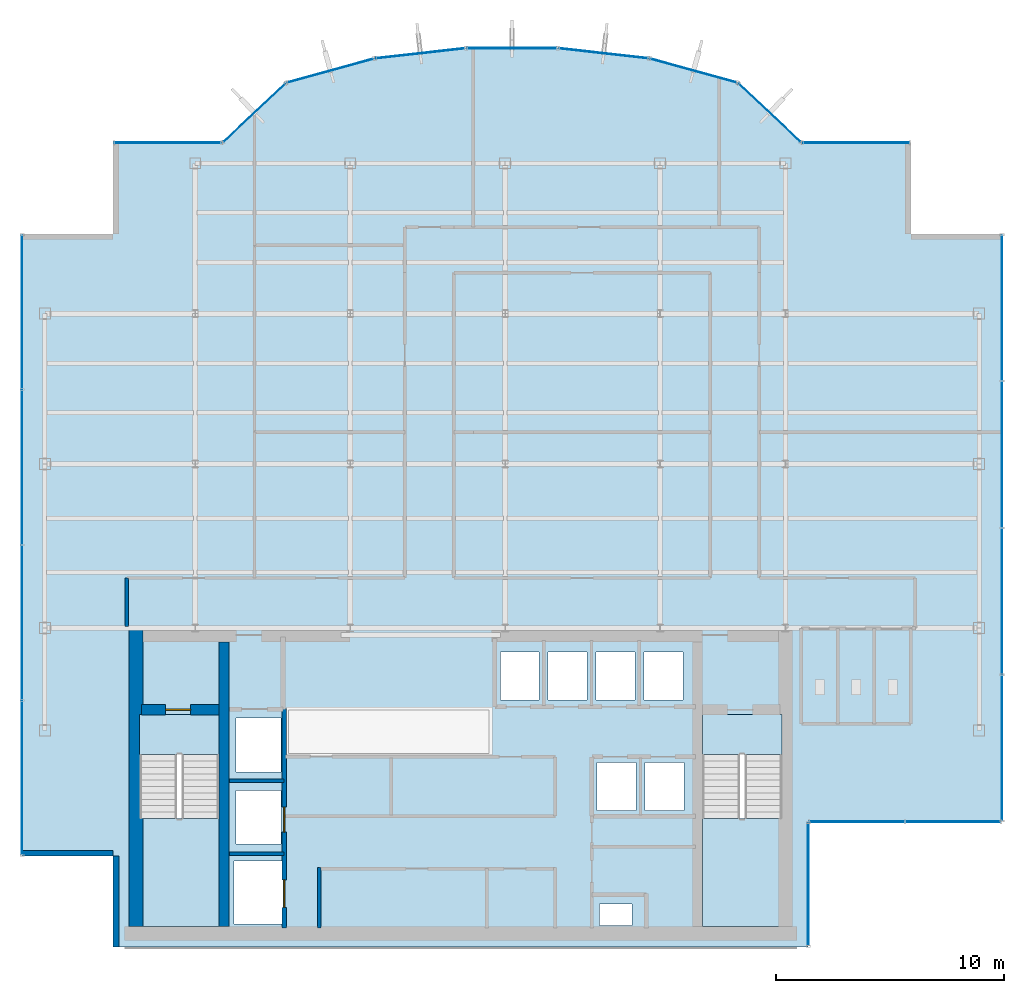
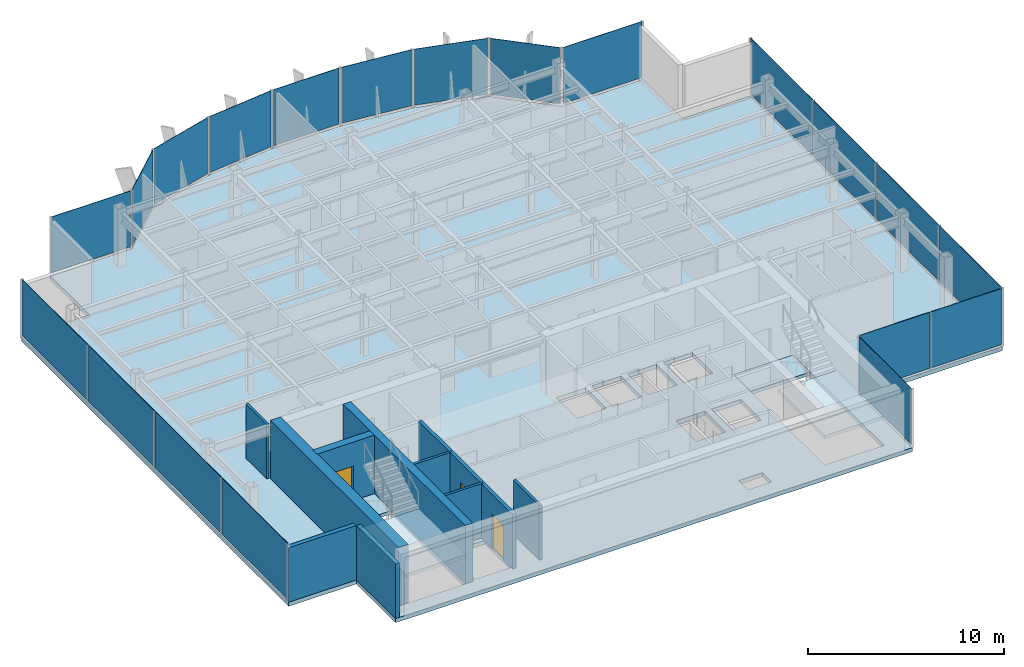
# One storey, part 16 of 22: 20 plates, 10 walls, 5 slabs, 3 doors, 3 openings, 15 elements without a shape of their own.
"""IFC4 building model written with IfcOpenShell, lengths in metres."""

import ifcopenshell
import ifcopenshell.guid

model = None  # the IFC model being written
_history = None  # IfcOwnerHistory: only IFC2X3 demands one
_inside = {}  # id of a spatial element -> (the spatial element, [elements in it])
_under = {}  # id of a project, library or spatial element -> (it, [spatial elements below it])
_declared = {}  # id of a project -> (the project, [libraries it declares])
_typed = {}  # id of a type object -> (the type object, [elements of that type])
_made_of = {}  # id of a material, layer set ... -> (it, [elements and type objects made of it])


def new_model(schema):
    """Start an empty IFC model of exactly this schema.

    Asked for "IFC4X3", IfcOpenShell would pick the latest addendum, in which some entities
    have other attributes; the version numbers below select the first issue.
    IFC2X3 requires an IfcOwnerHistory on every rooted entity: one is made here for all.
    """
    global model, _history
    if schema == "IFC4X3":
        model = ifcopenshell.file(schema_version=(4, 3, 0, 0))
    else:
        model = ifcopenshell.file(schema=schema)
    _inside.clear()
    _under.clear()
    _declared.clear()
    _typed.clear()
    _made_of.clear()
    _history = None
    if model.schema == "IFC2X3":
        org = make("IfcOrganization", Name="unknown")
        user = make(
            "IfcPersonAndOrganization",
            ThePerson=make("IfcPerson", FamilyName="unknown"),
            TheOrganization=org,
        )
        app = make(
            "IfcApplication",
            ApplicationDeveloper=org,
            Version="unknown",
            ApplicationFullName="unknown",
            ApplicationIdentifier="unknown",
        )
        _history = make(
            "IfcOwnerHistory",
            OwningUser=user,
            OwningApplication=app,
            ChangeAction="ADDED",
            CreationDate=0,
        )
    return model


def make(cls, **values):
    """One entity of the class cls with the attributes given. An attribute that is None is left unset."""
    return model.create_entity(
        cls, **{name: value for name, value in values.items() if value is not None}
    )


def rooted(cls, **values):
    """An entity with a GlobalId (a new one), such as an element, a storey or a relation."""
    return make(cls, GlobalId=ifcopenshell.guid.new(), OwnerHistory=_history, **values)


def si_unit(unit_type, name, prefix=None):
    """IfcSIUnit, for example si_unit("LENGTHUNIT", "METRE", prefix="MILLI")."""
    return make("IfcSIUnit", UnitType=unit_type, Prefix=prefix, Name=name)


def derived_unit(unit_type, elements):
    """IfcDerivedUnit: a product of units, each with its exponent."""
    return make(
        "IfcDerivedUnit",
        Elements=[
            make("IfcDerivedUnitElement", Unit=unit, Exponent=power)
            for unit, power in elements
        ],
        UnitType=unit_type,
    )


def assignment(units):
    """IfcUnitAssignment: the units of a project."""
    return None if units is None else make("IfcUnitAssignment", Units=units)


def point(xyz):
    """IfcCartesianPoint."""
    return None if xyz is None else make("IfcCartesianPoint", Coordinates=xyz)


def direction(xyz):
    """IfcDirection."""
    return None if xyz is None else make("IfcDirection", DirectionRatios=xyz)


def frame(location, z_axis=None, x_axis=None):
    """IfcAxis2Placement3D, a coordinate frame: its origin and axes. An axis left out is left unset."""
    return make(
        "IfcAxis2Placement3D",
        Location=point(location),
        Axis=direction(z_axis),
        RefDirection=direction(x_axis),
    )


def frame_2d(location, x_axis=None):
    """IfcAxis2Placement2D, a coordinate frame in the plane: its origin and x axis."""
    return make(
        "IfcAxis2Placement2D", Location=point(location), RefDirection=direction(x_axis)
    )


def origin():
    """The frame at (0, 0, 0) with its axes left unset."""
    return frame((0.0, 0.0, 0.0))


def origin_2d():
    """The frame at (0, 0) in the plane with its x axis left unset."""
    return frame_2d((0.0, 0.0))


def place(relative_to, where):
    """IfcLocalPlacement: puts the frame where relative to a parent placement (None: the world)."""
    return make(
        "IfcLocalPlacement", PlacementRelTo=relative_to, RelativePlacement=where
    )


def context(
    kind, dimensions, precision=None, world=None, true_north=None, identifier=None
):
    """IfcGeometricRepresentationContext, for example the 3D "Model" context."""
    return make(
        "IfcGeometricRepresentationContext",
        ContextIdentifier=identifier,
        ContextType=kind,
        CoordinateSpaceDimension=dimensions,
        Precision=precision,
        WorldCoordinateSystem=world,
        TrueNorth=true_north,
    )


def subcontext(parent, identifier, kind, view, scale=None):
    """IfcGeometricRepresentationSubContext, for example "Body" below "Model"."""
    return make(
        "IfcGeometricRepresentationSubContext",
        ContextIdentifier=identifier,
        ContextType=kind,
        ParentContext=parent,
        TargetScale=scale,
        TargetView=view,
    )


def project(units=None, contexts=None):
    """IfcProject with its units and contexts."""
    return rooted(
        "IfcProject",
        Name="project",
        RepresentationContexts=contexts,
        UnitsInContext=assignment(units),
    )


def spatial(cls, under=None, at=None, **own):
    """A site, building, storey or space (cls), placed at a placement, below another one or the project."""
    s = rooted(cls, ObjectPlacement=at, **own)
    if under is not None:
        _under.setdefault(under.id(), (under, []))[1].append(s)
    return s


def polyline(points):
    """IfcPolyline through the points."""
    return make("IfcPolyline", Points=[point(p) for p in points])


def profile(cls, at=None, kind="AREA", **sizes):
    """A parametric profile (cls). Its sizes go by their IFC names, for example OverallWidth=200.0."""
    return make(cls, ProfileType=kind, Position=at, **sizes)


def rectangle(**sizes):
    """IfcRectangleProfileDef."""
    return profile("IfcRectangleProfileDef", **sizes)


def outline(outer, holes=None, kind="AREA"):
    """IfcArbitraryClosedProfileDef: a profile drawn as a closed curve; with holes, ...WithVoids."""
    if holes is None:
        return make("IfcArbitraryClosedProfileDef", ProfileType=kind, OuterCurve=outer)
    return make(
        "IfcArbitraryProfileDefWithVoids",
        ProfileType=kind,
        OuterCurve=outer,
        InnerCurves=holes,
    )


def extrude(swept, where, along, depth):
    """IfcExtrudedAreaSolid: the profile swept, set in the frame where, extruded along a direction by depth."""
    return make(
        "IfcExtrudedAreaSolid",
        SweptArea=swept,
        Position=where,
        ExtrudedDirection=direction(along),
        Depth=depth,
    )


def shape(context_of_items, identifier, shape_type, items):
    """IfcShapeRepresentation: the items that make up one representation, for example the "Body"."""
    return make(
        "IfcShapeRepresentation",
        ContextOfItems=context_of_items,
        RepresentationIdentifier=identifier,
        RepresentationType=shape_type,
        Items=items,
    )


def source(mapping_origin, context_of_items, identifier, shape_type, items):
    """IfcRepresentationMap: a shape defined once, which mapped items show again and again."""
    return make(
        "IfcRepresentationMap",
        MappingOrigin=mapping_origin,
        MappedRepresentation=shape(context_of_items, identifier, shape_type, items),
    )


def transform(
    local_origin,
    x_axis=None,
    y_axis=None,
    z_axis=None,
    scale=None,
    scale2=None,
    scale3=None,
    uniform=True,
):
    """IfcCartesianTransformationOperator3D, or its non-uniform kind. x_axis, y_axis, z_axis: its Axis1, 2, 3."""
    if uniform:
        return make(
            "IfcCartesianTransformationOperator3D",
            Axis1=direction(x_axis),
            Axis2=direction(y_axis),
            LocalOrigin=point(local_origin),
            Scale=scale,
            Axis3=direction(z_axis),
        )
    return make(
        "IfcCartesianTransformationOperator3DnonUniform",
        Axis1=direction(x_axis),
        Axis2=direction(y_axis),
        LocalOrigin=point(local_origin),
        Scale=scale,
        Axis3=direction(z_axis),
        Scale2=scale2,
        Scale3=scale3,
    )


def mapped(mapping_source, mapping_target):
    """IfcMappedItem: shows the shape of a source again, moved by a transform."""
    return make(
        "IfcMappedItem", MappingSource=mapping_source, MappingTarget=mapping_target
    )


def material(Name=None, Category=None):
    """IfcMaterial."""
    return make("IfcMaterial", Name=Name, Category=Category)


def layer(
    of_material, thickness, ventilated=None, Name=None, Category=None, Priority=None
):
    """IfcMaterialLayer: one layer of a wall or slab, of a material (None: an air gap)."""
    return make(
        "IfcMaterialLayer",
        Material=of_material,
        LayerThickness=thickness,
        IsVentilated=ventilated,
        Name=Name,
        Category=Category,
        Priority=Priority,
    )


def layer_set(layers, Name=None):
    """IfcMaterialLayerSet."""
    return make("IfcMaterialLayerSet", MaterialLayers=layers, LayerSetName=Name)


def made_of(thing, what):
    """Note that an element or type object is made of a material, layer set ...; save() writes the relation."""
    if what is not None:
        _made_of.setdefault(what.id(), (what, []))[1].append(thing)
    return thing


def type_object(cls, material=None, **own):
    """A type object (cls), such as IfcWallType, which elements share."""
    return made_of(rooted(cls, **own), material)


def element(
    cls,
    number,
    at=None,
    inside=None,
    cuts=None,
    type_object=None,
    material=None,
    context=None,
    identifier="Body",
    shape_type=None,
    held_by="IfcProductDefinitionShape",
    body=None,
    shapes=None,
    **own,
):
    """One element of the class cls, such as IfcWall. Its Tag is "e" and its number.

    at: its placement. inside: the storey or other place that contains it. cuts: it is an
    opening in that element (IfcRelVoidsElement). A single representation is given by context,
    identifier, shape_type and body (its items); several are given by shapes. held_by: the class
    of the entity that holds the representations. save() writes the other relations.
    """
    e = rooted(cls, Tag="e%d" % number, ObjectPlacement=at, **own)
    if body is not None:
        shapes = [shape(context, identifier, shape_type, body)]
    if shapes is not None:
        e.Representation = make(held_by, Representations=shapes)
    if inside is not None:
        _inside.setdefault(inside.id(), (inside, []))[1].append(e)
    if cuts is not None:
        rooted(
            "IfcRelVoidsElement", RelatingBuildingElement=cuts, RelatedOpeningElement=e
        )
    if type_object is not None:
        _typed.setdefault(type_object.id(), (type_object, []))[1].append(e)
    return made_of(e, material)


def fill(opening, filler):
    """IfcRelFillsElement: the door or window that sits in an opening."""
    return rooted(
        "IfcRelFillsElement",
        RelatingOpeningElement=opening,
        RelatedBuildingElement=filler,
    )


def aggregate(whole, parts):
    """IfcRelAggregates: a whole, such as a stair, and the parts it consists of."""
    return rooted("IfcRelAggregates", RelatingObject=whole, RelatedObjects=parts)


def save(model, path):
    """Write the relations noted so far, then the file.

    IfcRelAggregates (storeys below a building ...), IfcRelContainedInSpatialStructure (elements
    in a storey), IfcRelDefinesByType, IfcRelAssociatesMaterial and IfcRelDeclares: one each for
    every whole, place, type object, material and project.
    """
    for whole, parts in _under.values():
        aggregate(whole, parts)
    for where, things in _inside.values():
        rooted(
            "IfcRelContainedInSpatialStructure",
            RelatedElements=things,
            RelatingStructure=where,
        )
    for kind, things in _typed.values():
        rooted("IfcRelDefinesByType", RelatedObjects=things, RelatingType=kind)
    for what, things in _made_of.values():
        rooted("IfcRelAssociatesMaterial", RelatedObjects=things, RelatingMaterial=what)
    for by, libraries in _declared.values():
        rooted("IfcRelDeclares", RelatingContext=by, RelatedDefinitions=libraries)
    model.write(path)


model = new_model("IFC4")

# Units and contexts
model_context = context("Model", 3, precision=1e-05, world=origin(), true_north=direction((0.0, 1.0)))
body_context = subcontext(model_context, "Body", "Model", "MODEL_VIEW")
ifc_project = project(units=[si_unit("LENGTHUNIT", "METRE"), si_unit("AREAUNIT", "SQUARE_METRE"), si_unit("VOLUMEUNIT", "CUBIC_METRE"), si_unit("PLANEANGLEUNIT", "RADIAN"), si_unit("MASSUNIT", "GRAM", prefix="KILO"), derived_unit("THERMALTRANSMITTANCEUNIT", [(si_unit("POWERUNIT", "WATT"), 1), (si_unit("LENGTHUNIT", "METRE"), -2), (si_unit("THERMODYNAMICTEMPERATUREUNIT", "KELVIN"), -1)])], contexts=[model_context])

# Site, building, storey
site_placement = place(None, origin())
site = spatial("IfcSite", under=ifc_project, at=site_placement, CompositionType="ELEMENT")
building_placement = place(site_placement, origin())
building = spatial("IfcBuilding", under=site, at=building_placement, Name="Skarnbrae Concourse Arena and Tower", CompositionType="ELEMENT")
storey_placement = place(building_placement, frame((0.0, 0.0, 247.85009765625)))
storey = spatial("IfcBuildingStorey", under=building, at=storey_placement, Name="L64", CompositionType="ELEMENT", Elevation=247.85009765625)

# Stair, slab
ifc_material_1 = material(Name="Concrete 40 MPa (C40/50)", Category="concrete")
stair_type = type_object("IfcStairType", Name="STAIR-DOGLEG-1650", PredefinedType="HALF_TURN_STAIR", material=ifc_material_1)
stair_1_placement = place(storey_placement, origin())
stair_1 = element("IfcStair", 1, at=stair_1_placement, inside=storey, type_object=stair_type, Name="L64 Protected Exit Stair ST-1", PredefinedType="HALF_TURN_STAIR")
ifc_layer_1 = layer(ifc_material_1, 0.199951171875)
ifc_layer_set_1 = layer_set([ifc_layer_1], Name="Concrete 40 MPa (C40/50)")
slab_type_1 = type_object("IfcSlabType", Name="SLAB-LANDING-200", PredefinedType="LANDING", material=ifc_layer_set_1)
slab_1_placement = place(storey_placement, frame((0.0, 0.0, 1.625)))
slab_1 = element("IfcSlab", 2, at=slab_1_placement, type_object=slab_type_1, Name="ST-1 landing 1", PredefinedType="LANDING", context=body_context, shape_type="SweptSolid", body=[
    extrude(outline(polyline([(5.14990234375, 5.64990234375), (5.14990234375, 0.89990234375), (8.64990234375, 0.89990234375), (8.64990234375, 5.64990234375), (5.14990234375, 5.64990234375)])), origin(), (0.0, 0.0, 1.0), 0.199951171875),
])
aggregate(stair_1, [slab_1])

stair_2_placement = place(storey_placement, origin())
stair_2 = element("IfcStair", 3, at=stair_2_placement, inside=storey, type_object=stair_type, Name="L64 Protected Exit Stair ST-2", PredefinedType="HALF_TURN_STAIR")
slab_2_placement = place(storey_placement, frame((0.0, 0.0, 1.625)))
slab_2 = element("IfcSlab", 4, at=slab_2_placement, type_object=slab_type_1, Name="ST-2 landing 1", PredefinedType="LANDING", context=body_context, shape_type="SweptSolid", body=[
    extrude(outline(polyline([(29.85009765625, 5.64990234375), (29.85009765625, 0.89990234375), (33.35009765625, 0.89990234375), (33.35009765625, 5.64990234375), (29.85009765625, 5.64990234375)])), origin(), (0.0, 0.0, 1.0), 0.199951171875),
])
aggregate(stair_2, [slab_2])

# Slabs
slab_3_placement = place(storey_placement, frame((0.0, 0.0, -0.2001953125)))
element("IfcSlab", 5, at=slab_3_placement, inside=storey, type_object=slab_type_1, Name="L64 Core stair ST1 floor landing", PredefinedType="LANDING", context=body_context, shape_type="SweptSolid", body=[
    extrude(outline(polyline([(5.14990234375, 10.199951171875), (5.14990234375, 8.449951171875), (8.64990234375, 8.449951171875), (8.64990234375, 10.199951171875), (5.14990234375, 10.199951171875)])), origin(), (0.0, 0.0, 1.0), 0.2001953125),
])
slab_4_placement = place(storey_placement, frame((0.0, 0.0, -0.2001953125)))
element("IfcSlab", 6, at=slab_4_placement, inside=storey, type_object=slab_type_1, Name="L64 Core stair ST2 floor landing", PredefinedType="LANDING", context=body_context, shape_type="SweptSolid", body=[
    extrude(outline(polyline([(29.85009765625, 10.199951171875), (29.85009765625, 8.449951171875), (33.35009765625, 8.449951171875), (33.35009765625, 10.199951171875), (29.85009765625, 10.199951171875)])), origin(), (0.0, 0.0, 1.0), 0.2001953125),
])
ifc_layer_2 = layer(ifc_material_1, 0.25)
ifc_layer_set_2 = layer_set([ifc_layer_2], Name="Concrete 40 MPa (C40/50)")
slab_type_2 = type_object("IfcSlabType", Name="SLAB-TOWER-250", PredefinedType="FLOOR", material=ifc_layer_set_2)
slab_5_placement = place(storey_placement, frame((0.0, 0.0, -0.25)))
element("IfcSlab", 7, at=slab_5_placement, inside=storey, type_object=slab_type_2, Name="L64 Structural floor slab", PredefinedType="FLOOR", context=body_context, shape_type="SweptSolid", body=[
    extrude(outline(polyline([(4.0, 0.0), (34.5, 0.0), (34.5, 5.5), (43.0, 5.5), (43.0, 31.300048828125), (39.0, 31.300048828125), (39.0, 35.300048828125), (34.199951171875, 35.300048828125), (31.40966796875, 37.9267578125), (27.52587890625, 38.9970703125), (23.51708984375, 39.44677734375), (19.48291015625, 39.44677734375), (15.47412109375, 38.9970703125), (11.59033203125, 37.9267578125), (8.800048828125, 35.300048828125), (4.0, 35.300048828125), (4.0, 31.300048828125), (0.0, 31.300048828125), (0.0, 4.0), (4.0, 4.0), (4.0, 0.0)]), holes=[polyline([(9.294921875, 1.02001953125), (9.294921875, 3.780029296875), (11.455078125, 3.780029296875), (11.455078125, 1.02001953125), (9.294921875, 1.02001953125)]), polyline([(8.64990234375, 10.199951171875), (8.64990234375, 0.89990234375), (5.14990234375, 0.89990234375), (5.14990234375, 10.199951171875), (8.64990234375, 10.199951171875)]), polyline([(9.39501953125, 6.8798828125), (11.35498046875, 6.8798828125), (11.35498046875, 4.52001953125), (9.39501953125, 4.52001953125), (9.39501953125, 6.8798828125)]), polyline([(9.39501953125, 7.695068359375), (9.39501953125, 10.054931640625), (11.35498046875, 10.054931640625), (11.35498046875, 7.695068359375), (9.39501953125, 7.695068359375)]), polyline([(20.985107421875, 12.955078125), (22.695068359375, 12.955078125), (22.695068359375, 10.844970703125), (20.985107421875, 10.844970703125), (20.985107421875, 12.955078125)]), polyline([(23.0849609375, 12.955078125), (24.794921875, 12.955078125), (24.794921875, 10.844970703125), (23.0849609375, 10.844970703125), (23.0849609375, 12.955078125)]), polyline([(25.35009765625, 0.949951171875), (25.35009765625, 1.889892578125), (26.760009765625, 1.889892578125), (26.760009765625, 0.949951171875), (25.35009765625, 0.949951171875)]), polyline([(33.35009765625, 10.199951171875), (33.35009765625, 0.89990234375), (29.85009765625, 0.89990234375), (29.85009765625, 10.199951171875), (33.35009765625, 10.199951171875)]), polyline([(25.235107421875, 8.10498046875), (26.945068359375, 8.10498046875), (26.945068359375, 5.9951171875), (25.235107421875, 5.9951171875), (25.235107421875, 8.10498046875)]), polyline([(27.3349609375, 5.9951171875), (27.3349609375, 8.10498046875), (29.044921875, 8.10498046875), (29.044921875, 5.9951171875), (27.3349609375, 5.9951171875)]), polyline([(25.18505859375, 12.955078125), (26.89501953125, 12.955078125), (26.89501953125, 10.844970703125), (25.18505859375, 10.844970703125), (25.18505859375, 12.955078125)]), polyline([(27.284912109375, 12.955078125), (28.9951171875, 12.955078125), (28.9951171875, 10.844970703125), (27.284912109375, 10.844970703125), (27.284912109375, 12.955078125)])]), origin(), (0.0, 0.0, 1.0), 0.25),
])

# Curtain wall, plate
ifc_material_2 = material(Name="Bronze anodised aluminium 6063-T6", Category="aluminium")
curtain_wall_type = type_object("IfcCurtainWallType", Name="CW-SYS-05-HIGHZONE", PredefinedType="USERDEFINED", material=ifc_material_2)
curtain_wall_1_placement = place(storey_placement, origin())
curtain_wall_1 = element("IfcCurtainWall", 8, at=curtain_wall_1_placement, inside=storey, type_object=curtain_wall_type, Name="L64 Unitised curtain wall CW-L64-E02", ObjectType="UNITISED CURTAIN WALL", PredefinedType="USERDEFINED")
ifc_material_3 = material(Name="Low-E triple insulating glass", Category="glass")
ifc_layer_3 = layer(ifc_material_3, 0.030029296875)
ifc_layer_set_3 = layer_set([ifc_layer_3], Name="Low-E triple insulating glass")
plate_type = type_object("IfcPlateType", Name="CWP-CW-05", PredefinedType="CURTAIN_PANEL", material=ifc_layer_set_3)
shared_shape_1 = source(origin(), body_context, "Body", "SweptSolid", [
    extrude(rectangle(XDim=5.35009765625, YDim=0.030029296875, at=origin_2d()), origin(), (0.0, 0.0, 1.0), 3.5),
])
plate_1_placement = place(storey_placement, frame((34.5, 2.75, 0.14990234375), z_axis=(0.0, 0.0, 1.0), x_axis=(0.0, 1.0, 0.0)))
plate_1 = element("IfcPlate", 9, at=plate_1_placement, type_object=plate_type, Name="CW-L64-E02 Low-E Glazing Panel 1", PredefinedType="CURTAIN_PANEL", context=body_context, shape_type="MappedRepresentation", body=[
    mapped(shared_shape_1, transform((0.0, 0.0, 0.0))),
])
aggregate(curtain_wall_1, [plate_1])

# Curtain wall, plates
curtain_wall_2_placement = place(storey_placement, origin())
curtain_wall_2 = element("IfcCurtainWall", 10, at=curtain_wall_2_placement, inside=storey, type_object=curtain_wall_type, Name="L64 Unitised curtain wall CW-L64-E03", ObjectType="UNITISED CURTAIN WALL", PredefinedType="USERDEFINED")
shared_shape_2 = source(origin(), body_context, "Body", "SweptSolid", [
    extrude(rectangle(XDim=4.137451171875, YDim=0.030029296875, at=origin_2d()), origin(), (0.0, 0.0, 1.0), 3.5),
])
plate_2_placement = place(storey_placement, frame((36.643798828125, 5.5, 0.14990234375), z_axis=(0.0, 0.0, 1.0), x_axis=(1.0, 0.0, 0.0)))
plate_2 = element("IfcPlate", 11, at=plate_2_placement, type_object=plate_type, Name="CW-L64-E03 Low-E Glazing Panel 1", PredefinedType="CURTAIN_PANEL", context=body_context, shape_type="MappedRepresentation", body=[
    mapped(shared_shape_2, transform((0.0, 0.0, 0.0))),
])
plate_3_placement = place(storey_placement, frame((40.856201171875, 5.5, 0.14990234375), z_axis=(0.0, 0.0, 1.0), x_axis=(1.0, 0.0, 0.0)))
plate_3 = element("IfcPlate", 12, at=plate_3_placement, type_object=plate_type, Name="CW-L64-E03 Low-E Glazing Panel 2", PredefinedType="CURTAIN_PANEL", context=body_context, shape_type="MappedRepresentation", body=[
    mapped(shared_shape_2, transform((0.0, 0.0, 0.0))),
])
aggregate(curtain_wall_2, [plate_2, plate_3])

# Curtain wall, plate
curtain_wall_3_placement = place(storey_placement, origin())
curtain_wall_3 = element("IfcCurtainWall", 13, at=curtain_wall_3_placement, inside=storey, type_object=curtain_wall_type, Name="L64 Unitised curtain wall CW-L64-E07", ObjectType="UNITISED CURTAIN WALL", PredefinedType="USERDEFINED")
shared_shape_3 = source(origin(), body_context, "Body", "SweptSolid", [
    extrude(rectangle(XDim=4.64990234375, YDim=0.030029296875, at=origin_2d()), origin(), (0.0, 0.0, 1.0), 3.5),
])
plate_4_placement = place(storey_placement, frame((36.60009765625, 35.300048828125, 0.14990234375), z_axis=(0.0, 0.0, 1.0), x_axis=(-1.0, 0.0, 0.0)))
plate_4 = element("IfcPlate", 14, at=plate_4_placement, type_object=plate_type, Name="CW-L64-E07 Low-E Glazing Panel 1", PredefinedType="CURTAIN_PANEL", context=body_context, shape_type="MappedRepresentation", body=[
    mapped(shared_shape_3, transform((0.0, 0.0, 0.0))),
])
aggregate(curtain_wall_3, [plate_4])

curtain_wall_4_placement = place(storey_placement, origin())
curtain_wall_4 = element("IfcCurtainWall", 15, at=curtain_wall_4_placement, inside=storey, type_object=curtain_wall_type, Name="L64 Unitised curtain wall CW-L64-E15", ObjectType="UNITISED CURTAIN WALL", PredefinedType="USERDEFINED")
plate_5_placement = place(storey_placement, frame((6.39990234375, 35.300048828125, 0.14990234375), z_axis=(0.0, 0.0, 1.0), x_axis=(-1.0, 0.0, 0.0)))
plate_5 = element("IfcPlate", 16, at=plate_5_placement, type_object=plate_type, Name="CW-L64-E15 Low-E Glazing Panel 1", PredefinedType="CURTAIN_PANEL", context=body_context, shape_type="MappedRepresentation", body=[
    mapped(shared_shape_3, transform((0.0, 0.0, 0.0))),
])
aggregate(curtain_wall_4, [plate_5])

curtain_wall_5_placement = place(storey_placement, origin())
curtain_wall_5 = element("IfcCurtainWall", 17, at=curtain_wall_5_placement, inside=storey, type_object=curtain_wall_type, Name="L64 Unitised curtain wall CW-L64-E08", ObjectType="UNITISED CURTAIN WALL", PredefinedType="USERDEFINED")
shared_shape_4 = source(origin(), body_context, "Body", "SweptSolid", [
    extrude(rectangle(XDim=3.68212890625, YDim=0.030029296875, at=origin_2d()), origin(), (0.0, 0.0, 1.0), 3.5),
])
plate_6_placement = place(storey_placement, frame((32.804931640625, 36.61328125, 0.14990234375), z_axis=(0.0, 0.0, 1.0), x_axis=(-0.728130555214, 0.685438468838, 0.0)))
plate_6 = element("IfcPlate", 18, at=plate_6_placement, type_object=plate_type, Name="CW-L64-E08 Low-E Glazing Panel 1", PredefinedType="CURTAIN_PANEL", context=body_context, shape_type="MappedRepresentation", body=[
    mapped(shared_shape_4, transform((0.0, 0.0, 0.0))),
])
aggregate(curtain_wall_5, [plate_6])

curtain_wall_6_placement = place(storey_placement, origin())
curtain_wall_6 = element("IfcCurtainWall", 19, at=curtain_wall_6_placement, inside=storey, type_object=curtain_wall_type, Name="L64 Unitised curtain wall CW-L64-E14", ObjectType="UNITISED CURTAIN WALL", PredefinedType="USERDEFINED")
plate_7_placement = place(storey_placement, frame((10.195068359375, 36.61328125, 0.14990234375), z_axis=(0.0, 0.0, 1.0), x_axis=(-0.728130555214, -0.685438468838, 0.0)))
plate_7 = element("IfcPlate", 20, at=plate_7_placement, type_object=plate_type, Name="CW-L64-E14 Low-E Glazing Panel 1", PredefinedType="CURTAIN_PANEL", context=body_context, shape_type="MappedRepresentation", body=[
    mapped(shared_shape_4, transform((0.0, 0.0, 0.0))),
])
aggregate(curtain_wall_6, [plate_7])

curtain_wall_7_placement = place(storey_placement, origin())
curtain_wall_7 = element("IfcCurtainWall", 21, at=curtain_wall_7_placement, inside=storey, type_object=curtain_wall_type, Name="L64 Unitised curtain wall CW-L64-E09", ObjectType="UNITISED CURTAIN WALL", PredefinedType="USERDEFINED")
shared_shape_5 = source(origin(), body_context, "Body", "SweptSolid", [
    extrude(rectangle(XDim=3.878662109375, YDim=0.030029296875, at=origin_2d()), origin(), (0.0, 0.0, 1.0), 3.5),
])
plate_8_placement = place(storey_placement, frame((29.4677734375, 38.4619140625, 0.14990234375), z_axis=(0.0, 0.0, 1.0), x_axis=(-0.964057388766, 0.265694093207, 0.0)))
plate_8 = element("IfcPlate", 22, at=plate_8_placement, type_object=plate_type, Name="CW-L64-E09 Low-E Glazing Panel 1", PredefinedType="CURTAIN_PANEL", context=body_context, shape_type="MappedRepresentation", body=[
    mapped(shared_shape_5, transform((0.0, 0.0, 0.0))),
])
aggregate(curtain_wall_7, [plate_8])

curtain_wall_8_placement = place(storey_placement, origin())
curtain_wall_8 = element("IfcCurtainWall", 23, at=curtain_wall_8_placement, inside=storey, type_object=curtain_wall_type, Name="L64 Unitised curtain wall CW-L64-E13", ObjectType="UNITISED CURTAIN WALL", PredefinedType="USERDEFINED")
plate_9_placement = place(storey_placement, frame((13.5322265625, 38.4619140625, 0.14990234375), z_axis=(0.0, 0.0, 1.0), x_axis=(-0.964057388766, -0.265694093207, 0.0)))
plate_9 = element("IfcPlate", 24, at=plate_9_placement, type_object=plate_type, Name="CW-L64-E13 Low-E Glazing Panel 1", PredefinedType="CURTAIN_PANEL", context=body_context, shape_type="MappedRepresentation", body=[
    mapped(shared_shape_5, transform((0.0, 0.0, 0.0))),
])
aggregate(curtain_wall_8, [plate_9])

curtain_wall_9_placement = place(storey_placement, origin())
curtain_wall_9 = element("IfcCurtainWall", 25, at=curtain_wall_9_placement, inside=storey, type_object=curtain_wall_type, Name="L64 Unitised curtain wall CW-L64-E10", ObjectType="UNITISED CURTAIN WALL", PredefinedType="USERDEFINED")
shared_shape_6 = source(origin(), body_context, "Body", "SweptSolid", [
    extrude(rectangle(XDim=3.8837890625, YDim=0.030029296875, at=origin_2d()), origin(), (0.0, 0.0, 1.0), 3.5),
])
plate_10_placement = place(storey_placement, frame((25.521484375, 39.221923828125, 0.14990234375), z_axis=(0.0, 0.0, 1.0), x_axis=(-0.993768891873, 0.111460259941, 0.0)))
plate_10 = element("IfcPlate", 26, at=plate_10_placement, type_object=plate_type, Name="CW-L64-E10 Low-E Glazing Panel 1", PredefinedType="CURTAIN_PANEL", context=body_context, shape_type="MappedRepresentation", body=[
    mapped(shared_shape_6, transform((0.0, 0.0, 0.0))),
])
aggregate(curtain_wall_9, [plate_10])

curtain_wall_10_placement = place(storey_placement, origin())
curtain_wall_10 = element("IfcCurtainWall", 27, at=curtain_wall_10_placement, inside=storey, type_object=curtain_wall_type, Name="L64 Unitised curtain wall CW-L64-E12", ObjectType="UNITISED CURTAIN WALL", PredefinedType="USERDEFINED")
plate_11_placement = place(storey_placement, frame((17.478515625, 39.221923828125, 0.14990234375), z_axis=(0.0, 0.0, 1.0), x_axis=(-0.993768891873, -0.111460259941, 0.0)))
plate_11 = element("IfcPlate", 28, at=plate_11_placement, type_object=plate_type, Name="CW-L64-E12 Low-E Glazing Panel 1", PredefinedType="CURTAIN_PANEL", context=body_context, shape_type="MappedRepresentation", body=[
    mapped(shared_shape_6, transform((0.0, 0.0, 0.0))),
])
aggregate(curtain_wall_10, [plate_11])

curtain_wall_11_placement = place(storey_placement, origin())
curtain_wall_11 = element("IfcCurtainWall", 29, at=curtain_wall_11_placement, inside=storey, type_object=curtain_wall_type, Name="L64 Unitised curtain wall CW-L64-E11", ObjectType="UNITISED CURTAIN WALL", PredefinedType="USERDEFINED")
shared_shape_7 = source(origin(), body_context, "Body", "SweptSolid", [
    extrude(rectangle(XDim=3.884521484375, YDim=0.030029296875, at=origin_2d()), origin(), (0.0, 0.0, 1.0), 3.5),
])
plate_12_placement = place(storey_placement, frame((21.5, 39.44677734375, 0.14990234375), z_axis=(0.0, 0.0, 1.0), x_axis=(-1.0, 0.0, 0.0)))
plate_12 = element("IfcPlate", 30, at=plate_12_placement, type_object=plate_type, Name="CW-L64-E11 Low-E Glazing Panel 1", PredefinedType="CURTAIN_PANEL", context=body_context, shape_type="MappedRepresentation", body=[
    mapped(shared_shape_7, transform((0.0, 0.0, 0.0))),
])
aggregate(curtain_wall_11, [plate_12])

# Curtain wall, plates
curtain_wall_12_placement = place(storey_placement, origin())
curtain_wall_12 = element("IfcCurtainWall", 31, at=curtain_wall_12_placement, inside=storey, type_object=curtain_wall_type, Name="L64 Unitised curtain wall CW-L64-E18", ObjectType="UNITISED CURTAIN WALL", PredefinedType="USERDEFINED")
shared_shape_8 = source(origin(), body_context, "Body", "SweptSolid", [
    extrude(rectangle(XDim=6.71240234375, YDim=0.030029296875, at=origin_2d()), origin(), (0.0, 0.0, 1.0), 3.5),
])
plate_13_placement = place(storey_placement, frame((0.0, 27.86865234375, 0.14990234375), z_axis=(0.0, 0.0, 1.0), x_axis=(0.0, -1.0, 0.0)))
plate_13 = element("IfcPlate", 32, at=plate_13_placement, type_object=plate_type, Name="CW-L64-E18 Low-E Glazing Panel 1", PredefinedType="CURTAIN_PANEL", context=body_context, shape_type="MappedRepresentation", body=[
    mapped(shared_shape_8, transform((0.0, 0.0, 0.0))),
])
plate_14_placement = place(storey_placement, frame((0.0, 7.431396484375, 0.14990234375), z_axis=(0.0, 0.0, 1.0), x_axis=(0.0, -1.0, 0.0)))
plate_14 = element("IfcPlate", 33, at=plate_14_placement, type_object=plate_type, Name="CW-L64-E18 Low-E Glazing Panel 4", PredefinedType="CURTAIN_PANEL", context=body_context, shape_type="MappedRepresentation", body=[
    mapped(shared_shape_8, transform((0.0, 0.0, 0.0))),
])
shared_shape_9 = source(origin(), body_context, "Body", "SweptSolid", [
    extrude(rectangle(XDim=6.75, YDim=0.030029296875, at=origin_2d()), origin(), (0.0, 0.0, 1.0), 3.5),
])
plate_15_placement = place(storey_placement, frame((0.0, 21.0625, 0.14990234375), z_axis=(0.0, 0.0, 1.0), x_axis=(0.0, -1.0, 0.0)))
plate_15 = element("IfcPlate", 34, at=plate_15_placement, type_object=plate_type, Name="CW-L64-E18 Low-E Glazing Panel 2", PredefinedType="CURTAIN_PANEL", context=body_context, shape_type="MappedRepresentation", body=[
    mapped(shared_shape_9, transform((0.0, 0.0, 0.0))),
])
plate_16_placement = place(storey_placement, frame((0.0, 14.237548828125, 0.14990234375), z_axis=(0.0, 0.0, 1.0), x_axis=(0.0, -1.0, 0.0)))
plate_16 = element("IfcPlate", 35, at=plate_16_placement, type_object=plate_type, Name="CW-L64-E18 Low-E Glazing Panel 3", PredefinedType="CURTAIN_PANEL", context=body_context, shape_type="MappedRepresentation", body=[
    mapped(shared_shape_9, transform((0.0, 0.0, 0.0))),
])
aggregate(curtain_wall_12, [plate_13, plate_15, plate_16, plate_14])

curtain_wall_13_placement = place(storey_placement, origin())
curtain_wall_13 = element("IfcCurtainWall", 36, at=curtain_wall_13_placement, inside=storey, type_object=curtain_wall_type, Name="L64 Unitised curtain wall CW-L64-E04", ObjectType="UNITISED CURTAIN WALL", PredefinedType="USERDEFINED")
shared_shape_10 = source(origin(), body_context, "Body", "SweptSolid", [
    extrude(rectangle(XDim=6.33740234375, YDim=0.030029296875, at=origin_2d()), origin(), (0.0, 0.0, 1.0), 3.5),
])
plate_17_placement = place(storey_placement, frame((43.0, 8.743896484375, 0.14990234375), z_axis=(0.0, 0.0, 1.0), x_axis=(0.0, 1.0, 0.0)))
plate_17 = element("IfcPlate", 37, at=plate_17_placement, type_object=plate_type, Name="CW-L64-E04 Low-E Glazing Panel 1", PredefinedType="CURTAIN_PANEL", context=body_context, shape_type="MappedRepresentation", body=[
    mapped(shared_shape_10, transform((0.0, 0.0, 0.0))),
])
plate_18_placement = place(storey_placement, frame((43.0, 28.05615234375, 0.14990234375), z_axis=(0.0, 0.0, 1.0), x_axis=(0.0, 1.0, 0.0)))
plate_18 = element("IfcPlate", 38, at=plate_18_placement, type_object=plate_type, Name="CW-L64-E04 Low-E Glazing Panel 4", PredefinedType="CURTAIN_PANEL", context=body_context, shape_type="MappedRepresentation", body=[
    mapped(shared_shape_10, transform((0.0, 0.0, 0.0))),
])
shared_shape_11 = source(origin(), body_context, "Body", "SweptSolid", [
    extrude(rectangle(XDim=6.375, YDim=0.030029296875, at=origin_2d()), origin(), (0.0, 0.0, 1.0), 3.5),
])
plate_19_placement = place(storey_placement, frame((43.0, 15.175048828125, 0.14990234375), z_axis=(0.0, 0.0, 1.0), x_axis=(0.0, 1.0, 0.0)))
plate_19 = element("IfcPlate", 39, at=plate_19_placement, type_object=plate_type, Name="CW-L64-E04 Low-E Glazing Panel 2", PredefinedType="CURTAIN_PANEL", context=body_context, shape_type="MappedRepresentation", body=[
    mapped(shared_shape_11, transform((0.0, 0.0, 0.0))),
])
plate_20_placement = place(storey_placement, frame((43.0, 21.625, 0.14990234375), z_axis=(0.0, 0.0, 1.0), x_axis=(0.0, 1.0, 0.0)))
plate_20 = element("IfcPlate", 40, at=plate_20_placement, type_object=plate_type, Name="CW-L64-E04 Low-E Glazing Panel 3", PredefinedType="CURTAIN_PANEL", context=body_context, shape_type="MappedRepresentation", body=[
    mapped(shared_shape_11, transform((0.0, 0.0, 0.0))),
])
aggregate(curtain_wall_13, [plate_17, plate_19, plate_20, plate_18])

# Wall, opening, door
ifc_material_4 = material(Name="Concrete 50 MPa (C50/60)", Category="concrete")
ifc_layer_4 = layer(ifc_material_4, 0.449951171875)
ifc_layer_set_4 = layer_set([ifc_layer_4], Name="Concrete 50 MPa (C50/60)")
wall_type_1 = type_object("IfcWallType", Name="WALL-CORE-450-C50", PredefinedType="SHEAR", material=ifc_layer_set_4)
shared_shape_12 = source(origin(), body_context, "Body", "SweptSolid", [
    extrude(rectangle(XDim=3.389892578125, YDim=0.449951171875, at=frame_2d((1.69482421875, 0.0))), origin(), (0.0, 0.0, 1.0), 3.64990234375),
])
wall_1_placement = place(storey_placement, frame((5.25, 10.419921875, 0.0), z_axis=(0.0, 0.0, 1.0), x_axis=(1.0, 0.0, 0.0)))
wall_1 = element("IfcWall", 41, at=wall_1_placement, inside=storey, type_object=wall_type_1, Name="L64 Rear core shear wall CW-ST1-N", PredefinedType="SHEAR", context=body_context, shape_type="MappedRepresentation", body=[
    mapped(shared_shape_12, transform((0.0, 0.0, 0.0))),
])
opening_1_placement = place(wall_1_placement, frame((1.050048828125, 0.0, 0.0)))
opening_1 = element("IfcOpeningElement", 42, at=opening_1_placement, cuts=wall_1, Name="Opening DT-03", PredefinedType="OPENING", context=body_context, shape_type="SweptSolid", body=[
    extrude(rectangle(XDim=1.10009765625, YDim=2.14990234375, at=frame_2d((0.550048828125, 1.074951171875))), frame((0.0, 0.23486328125, 0.0), z_axis=(0.0, -1.0, 0.0), x_axis=(1.0, 0.0, 0.0)), (0.0, 0.0, 1.0), 0.469970703125),
])
ifc_material_5 = material(Name="Steel CSA G40.21 350W", Category="steel")
door_type_1 = type_object("IfcDoorType", Name="DOOR-FIRE-1100-90M", OperationType="NOTDEFINED", PredefinedType="DOOR", material=ifc_material_5)
shared_shape_13 = source(origin(), body_context, "Body", "SweptSolid", [
    extrude(rectangle(XDim=1.10009765625, YDim=2.14990234375, at=frame_2d((0.550048828125, 1.074951171875))), frame((0.0, 0.02490234375, 0.0), z_axis=(0.0, -1.0, 0.0), x_axis=(1.0, 0.0, 0.0)), (0.0, 0.0, 1.0), 0.050048828125),
])
door_1_placement = place(opening_1_placement, frame((1.10009765625, 0.0, 0.0), z_axis=(0.0, 0.0, 1.0), x_axis=(-1.0, 0.0, 0.0)))
door_1 = element("IfcDoor", 43, at=door_1_placement, inside=storey, type_object=door_type_1, Name="D-1922 Stair ST-1 Door", OperationType="SINGLE_SWING_LEFT", OverallHeight=2.14990234375, OverallWidth=1.10009765625, PredefinedType="DOOR", context=body_context, shape_type="MappedRepresentation", body=[
    mapped(shared_shape_13, transform((0.0, 0.0, 0.0))),
])
fill(opening_1, door_1)

# Walls
ifc_layer_5 = layer(ifc_material_4, 0.60009765625)
ifc_layer_set_5 = layer_set([ifc_layer_5], Name="Concrete 50 MPa (C50/60)")
wall_type_2 = type_object("IfcWallType", Name="WALL-CORE-600-C50", PredefinedType="SHEAR", material=ifc_layer_set_5)
shared_shape_14 = source(origin(), body_context, "Body", "SweptSolid", [
    extrude(rectangle(XDim=13.10009765625, YDim=0.60009765625, at=frame_2d((6.550048828125, 0.0))), origin(), (0.0, 0.0, 1.0), 3.64990234375),
])
wall_2_placement = place(storey_placement, frame((5.0, 0.89990234375, 0.0), z_axis=(0.0, 0.0, 1.0), x_axis=(0.0, 1.0, 0.0)))
element("IfcWall", 44, at=wall_2_placement, inside=storey, type_object=wall_type_2, Name="L64 Rear core shear wall CW-W", PredefinedType="SHEAR", context=body_context, shape_type="MappedRepresentation", body=[
    mapped(shared_shape_14, transform((0.0, 0.0, 0.0))),
])
shared_shape_15 = source(origin(), body_context, "Body", "SweptSolid", [
    extrude(rectangle(XDim=12.5, YDim=0.449951171875, at=frame_2d((6.25, 0.0))), origin(), (0.0, 0.0, 1.0), 3.64990234375),
])
wall_3_placement = place(storey_placement, frame((8.864990234375, 0.89990234375, 0.0), z_axis=(0.0, 0.0, 1.0), x_axis=(0.0, 1.0, 0.0)))
element("IfcWall", 45, at=wall_3_placement, inside=storey, type_object=wall_type_1, Name="L64 Rear core shear wall CW-WEB-W", PredefinedType="SHEAR", context=body_context, shape_type="MappedRepresentation", body=[
    mapped(shared_shape_15, transform((0.0, 0.0, 0.0))),
])
ifc_material_6 = material(Name="Precast concrete 40 MPa (C40/50)", Category="concrete")
ifc_layer_6 = layer(ifc_material_6, 0.25)
ifc_layer_set_6 = layer_set([ifc_layer_6], Name="Precast concrete 40 MPa (C40/50)")
wall_type_3 = type_object("IfcWallType", Name="WALL-EXT-SPANDREL-250", PredefinedType="STANDARD", material=ifc_layer_set_6)
shared_shape_16 = source(origin(), body_context, "Body", "SweptSolid", [
    extrude(rectangle(XDim=4.0, YDim=0.25, at=frame_2d((2.0, 0.0))), origin(), (0.0, 0.0, 1.0), 3.39990234375),
])
for number, where, z_axis, x_axis, name in (
    (46, (0.0, 4.125, 0.0), (0.0, 0.0, 1.0), (1.0, 0.0, 0.0), "L64 Notched corner insulated return wall 19"),
    (47, (4.125, 4.0, 0.0), (0.0, 0.0, 1.0), (0.0, -1.0, 0.0), "L64 Notched corner insulated return wall 20"),
):
    element("IfcWall", number, at=place(storey_placement, frame(where, z_axis=z_axis, x_axis=x_axis)), inside=storey, type_object=wall_type_3, Name=name, PredefinedType="STANDARD", context=body_context, shape_type="MappedRepresentation", body=[
        mapped(shared_shape_16, transform((0.0, 0.0, 0.0))),
    ])

# Wall, openings, doors
ifc_material_7 = material(Name="Gypsum board on cold-formed steel studs", Category="steel")
ifc_layer_7 = layer(ifc_material_7, 0.199951171875)
ifc_layer_set_7 = layer_set([ifc_layer_7], Name="Gypsum board on cold-formed steel studs")
wall_type_4 = type_object("IfcWallType", Name="WALL-PART-200-2HR", PredefinedType="PARTITIONING", material=ifc_layer_set_7)
shared_shape_17 = source(origin(), body_context, "Body", "SweptSolid", [
    extrude(rectangle(XDim=9.599853515625, YDim=0.199951171875, at=frame_2d((4.7998046875, 0.0))), origin(), (0.0, 0.0, 1.0), 3.39990234375),
])
wall_4_placement = place(storey_placement, frame((11.5, 0.85009765625, 0.0), z_axis=(0.0, 0.0, 1.0), x_axis=(0.0, 1.0, 0.0)))
wall_4 = element("IfcWall", 48, at=wall_4_placement, inside=storey, type_object=wall_type_4, Name="L64 Interior partition wall W-L64-FL-E", PredefinedType="PARTITIONING", context=body_context, shape_type="MappedRepresentation", body=[
    mapped(shared_shape_17, transform((0.0, 0.0, 0.0))),
])
opening_2_placement = place(wall_4_placement, frame((4.199951171875, 0.0, 0.0)))
opening_2 = element("IfcOpeningElement", 49, at=opening_2_placement, cuts=wall_4, Name="Opening LD-01", PredefinedType="OPENING", context=body_context, shape_type="SweptSolid", body=[
    extrude(rectangle(XDim=1.10009765625, YDim=2.14990234375, at=frame_2d((0.550048828125, 1.074951171875))), frame((0.0, 0.10986328125, 0.0), z_axis=(0.0, -1.0, 0.0), x_axis=(1.0, 0.0, 0.0)), (0.0, 0.0, 1.0), 0.219970703125),
])
opening_3_placement = place(wall_4_placement, frame((0.89990234375, 0.0, 0.0)))
opening_3 = element("IfcOpeningElement", 50, at=opening_3_placement, cuts=wall_4, Name="Opening LD-02", PredefinedType="OPENING", context=body_context, shape_type="SweptSolid", body=[
    extrude(rectangle(XDim=1.199951171875, YDim=2.14990234375, at=frame_2d((0.60009765625, 1.074951171875))), frame((0.0, 0.10986328125, 0.0), z_axis=(0.0, -1.0, 0.0), x_axis=(1.0, 0.0, 0.0)), (0.0, 0.0, 1.0), 0.219970703125),
])
door_type_2 = type_object("IfcDoorType", Name="DOOR-LIFT-SLIDE-1100", OperationType="SLIDING_TO_LEFT", PredefinedType="DOOR", material=ifc_material_5)
door_2_placement = place(opening_2_placement, frame((1.10009765625, 0.0, 0.0), z_axis=(0.0, 0.0, 1.0), x_axis=(-1.0, 0.0, 0.0)))
door_2 = element("IfcDoor", 51, at=door_2_placement, inside=storey, type_object=door_type_2, Name="D-1927 Firefighting Lift Landing Door FL-02", OperationType="SLIDING_TO_LEFT", OverallHeight=2.14990234375, OverallWidth=1.10009765625, PredefinedType="DOOR", context=body_context, shape_type="MappedRepresentation", body=[
    mapped(shared_shape_13, transform((0.0, 0.0, 0.0))),
])
fill(opening_2, door_2)
door_type_3 = type_object("IfcDoorType", Name="DOOR-LIFT-SLIDE-1200", OperationType="SLIDING_TO_LEFT", PredefinedType="DOOR", material=ifc_material_5)
shared_shape_18 = source(origin(), body_context, "Body", "SweptSolid", [
    extrude(rectangle(XDim=1.199951171875, YDim=2.14990234375, at=frame_2d((0.60009765625, 1.074951171875))), frame((0.0, 0.02490234375, 0.0), z_axis=(0.0, -1.0, 0.0), x_axis=(1.0, 0.0, 0.0)), (0.0, 0.0, 1.0), 0.050048828125),
])
door_3_placement = place(opening_3_placement, frame((1.199951171875, 0.0, 0.0), z_axis=(0.0, 0.0, 1.0), x_axis=(-1.0, 0.0, 0.0)))
door_3 = element("IfcDoor", 52, at=door_3_placement, inside=storey, type_object=door_type_3, Name="D-1928 Service Lift Landing Door SV-01", OperationType="SLIDING_TO_LEFT", OverallHeight=2.14990234375, OverallWidth=1.199951171875, PredefinedType="DOOR", context=body_context, shape_type="MappedRepresentation", body=[
    mapped(shared_shape_18, transform((0.0, 0.0, 0.0))),
])
fill(opening_3, door_3)

# Walls
ifc_layer_8 = layer(ifc_material_7, 0.14990234375)
ifc_layer_set_8 = layer_set([ifc_layer_8], Name="Gypsum board on cold-formed steel studs")
wall_type_5 = type_object("IfcWallType", Name="WALL-PART-150", PredefinedType="PARTITIONING", material=ifc_layer_set_8)
shared_shape_19 = source(origin(), body_context, "Body", "SweptSolid", [
    extrude(rectangle(XDim=2.39990234375, YDim=0.14990234375, at=frame_2d((1.199951171875, 0.0))), origin(), (0.0, 0.0, 1.0), 3.39990234375),
])
for number, where, z_axis, x_axis, name in (
    (53, (9.10009765625, 4.10009765625, 0.0), (0.0, 0.0, 1.0), (1.0, 0.0, 0.0), "L64 Interior partition wall W-L64-FL-D1"),
    (54, (9.10009765625, 7.300048828125, 0.0), (0.0, 0.0, 1.0), (1.0, 0.0, 0.0), "L64 Interior partition wall W-L64-FL-D2"),
):
    element("IfcWall", number, at=place(storey_placement, frame(where, z_axis=z_axis, x_axis=x_axis)), inside=storey, type_object=wall_type_5, Name=name, PredefinedType="PARTITIONING", context=body_context, shape_type="MappedRepresentation", body=[
        mapped(shared_shape_19, transform((0.0, 0.0, 0.0))),
    ])
ifc_layer_9 = layer(ifc_material_7, 0.14990234375)
ifc_layer_set_9 = layer_set([ifc_layer_9], Name="Gypsum board on cold-formed steel studs")
wall_type_6 = type_object("IfcWallType", Name="WALL-PART-150-1HR", PredefinedType="PARTITIONING", material=ifc_layer_set_9)
shared_shape_20 = source(origin(), body_context, "Body", "SweptSolid", [
    extrude(rectangle(XDim=2.64990234375, YDim=0.14990234375, at=frame_2d((1.324951171875, 0.0))), origin(), (0.0, 0.0, 1.0), 3.39990234375),
])
wall_5_placement = place(storey_placement, frame((13.050048828125, 0.85009765625, 0.0), z_axis=(0.0, 0.0, 1.0), x_axis=(0.0, 1.0, 0.0)))
element("IfcWall", 55, at=wall_5_placement, inside=storey, type_object=wall_type_6, Name="L64 Interior partition wall W-L64-B1M-W", PredefinedType="PARTITIONING", context=body_context, shape_type="MappedRepresentation", body=[
    mapped(shared_shape_20, transform((0.0, 0.0, 0.0))),
])
shared_shape_21 = source(origin(), body_context, "Body", "SweptSolid", [
    extrude(rectangle(XDim=2.119873046875, YDim=0.14990234375, at=frame_2d((1.06005859375, 0.0))), origin(), (0.0, 0.0, 1.0), 3.39990234375),
])
wall_6_placement = place(storey_placement, frame((4.60009765625, 14.080078125, 0.0), z_axis=(0.0, 0.0, 1.0), x_axis=(0.0, 1.0, 0.0)))
element("IfcWall", 56, at=wall_6_placement, inside=storey, type_object=wall_type_6, Name="L64 Interior partition wall W-L64-COR-01", PredefinedType="PARTITIONING", context=body_context, shape_type="MappedRepresentation", body=[
    mapped(shared_shape_21, transform((0.0, 0.0, 0.0))),
])

save(model, "model.ifc")
